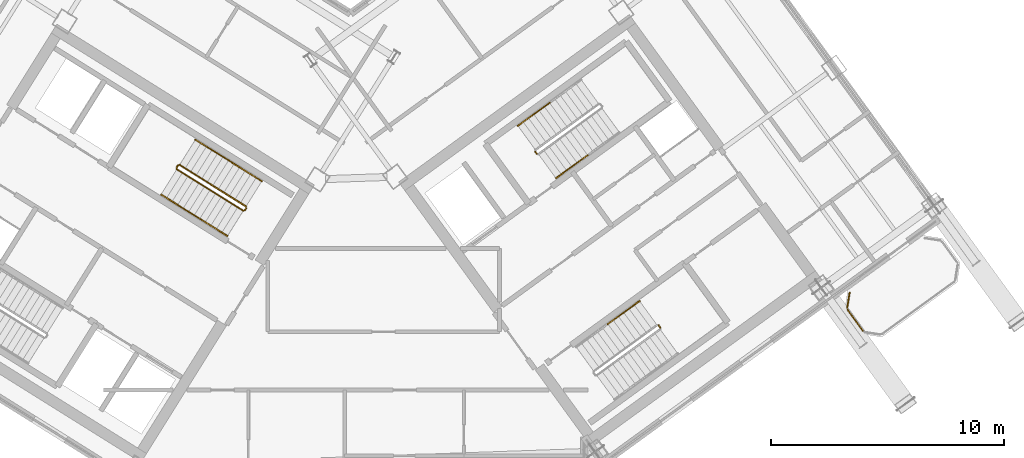
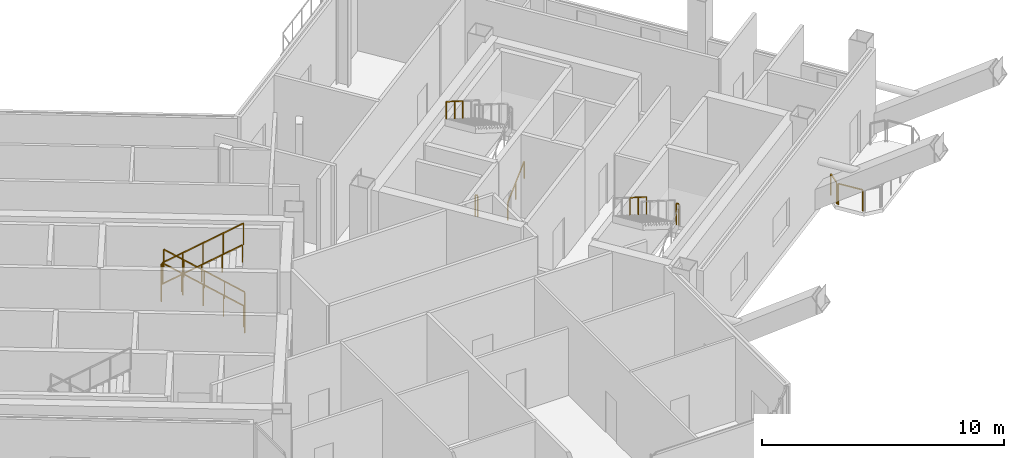
# One storey, part 31 of 34: 15 railings.
"""IFC4 building model written with IfcOpenShell, lengths in metres."""

from ifc_helpers import new_model, si_unit, direction, frame, origin, origin_2d, place, context, subcontext, project, spatial, rectangle, extrude, source, transform, mapped, material, type_object, element, save


model = new_model("IFC4")

# Units and contexts
model_context = context("Model", 3, precision=1e-05, world=origin(), true_north=direction((0.0, 1.0)))
body_context = subcontext(model_context, "Body", "Model", "MODEL_VIEW")
ifc_project = project(units=[si_unit("LENGTHUNIT", "METRE"), si_unit("AREAUNIT", "SQUARE_METRE"), si_unit("VOLUMEUNIT", "CUBIC_METRE"), si_unit("PLANEANGLEUNIT", "RADIAN"), si_unit("MASSUNIT", "GRAM", prefix="KILO")], contexts=[model_context])

# Site, building, storey
site_placement = place(None, origin())
site = spatial("IfcSite", under=ifc_project, at=site_placement, CompositionType="ELEMENT")
building_placement = place(site_placement, origin())
building = spatial("IfcBuilding", under=site, at=building_placement, Name="Tlacorven Tower", CompositionType="ELEMENT")
storey_placement = place(building_placement, frame((0.0, 0.0, 229.199951171875)))
storey = spatial("IfcBuildingStorey", under=building, at=storey_placement, Name="L58", CompositionType="ELEMENT", Elevation=229.199951171875)

# Railings
ifc_material = material(Name="Aluminium and painted steel balustrade", Category="steel")
railing_type_1 = type_object("IfcRailingType", Name="RL-BAL-1100", PredefinedType="BALUSTRADE", material=ifc_material)
shared_shape_1 = source(origin(), body_context, "Body", "SweptSolid", [
    extrude(rectangle(XDim=0.048095703125, YDim=0.048095703125, at=origin_2d()), frame((0.0, 0.0, 1.076171875), z_axis=(0.156602868908, 0.987661653326, 0.0), x_axis=(-0.987661653326, 0.156602868908, 0.0)), (0.0, 0.0, 1.0), 0.665771484375),
    extrude(rectangle(XDim=0.0419921875, YDim=0.0419921875, at=origin_2d()), origin(), (0.0, 0.0, 1.0), 1.052001953125),
    extrude(rectangle(XDim=0.0419921875, YDim=0.0419921875, at=origin_2d()), frame((0.104248046875, 0.657470703125, 0.0)), (0.0, 0.0, 1.0), 1.052001953125),
])
railing_1_placement = place(storey_placement, frame((63.539306640625, 18.949951171875, 0.0)))
element("IfcRailing", 1, at=railing_1_placement, inside=storey, type_object=railing_type_1, Name="BAL-L58-E-OUT Guard Railing 3", PredefinedType="BALUSTRADE", context=body_context, shape_type="MappedRepresentation", body=[
    mapped(shared_shape_1, transform((0.0, 0.0, 0.0), scale=1.0)),
])
shared_shape_2 = source(origin(), body_context, "Body", "SweptSolid", [
    extrude(rectangle(XDim=0.048095703125, YDim=0.048095703125, at=origin_2d()), frame((0.0, 0.0, 1.076171875), z_axis=(-0.587740817519, 0.809049276263, 0.0), x_axis=(-0.809049276263, -0.587740817519, 0.0)), (0.0, 0.0, 1.0), 1.112060546875),
    extrude(rectangle(XDim=0.0419921875, YDim=0.0419921875, at=origin_2d()), origin(), (0.0, 0.0, 1.0), 1.052001953125),
    extrude(rectangle(XDim=0.0419921875, YDim=0.0419921875, at=origin_2d()), frame((-0.653564453125, 0.899658203125, 0.0)), (0.0, 0.0, 1.0), 1.052001953125),
])
railing_2_placement = place(storey_placement, frame((64.214599609375, 17.96044921875, 0.0)))
element("IfcRailing", 2, at=railing_2_placement, inside=storey, type_object=railing_type_1, Name="BAL-L58-E-OUT Guard Railing 2", PredefinedType="BALUSTRADE", context=body_context, shape_type="MappedRepresentation", body=[
    mapped(shared_shape_2, transform((0.0, 0.0, 0.0), scale=1.0)),
])
railing_type_2 = type_object("IfcRailingType", Name="RL-GRD-1100", PredefinedType="GUARDRAIL", material=ifc_material)
shared_shape_3 = source(origin(), body_context, "Body", "SweptSolid", [
    extrude(rectangle(XDim=0.048095703125, YDim=0.048095703125, at=origin_2d()), frame((0.0, 0.0, 1.076171875), z_axis=(-0.530546985787, -0.847655529016, 0.0), x_axis=(0.847655529016, -0.530546985787, 0.0)), (0.0, 0.0, 1.0), 0.1201171875),
    extrude(rectangle(XDim=0.0419921875, YDim=0.0419921875, at=origin_2d()), origin(), (0.0, 0.0, 1.0), 1.052001953125),
    extrude(rectangle(XDim=0.0419921875, YDim=0.0419921875, at=origin_2d()), frame((-0.063720703125, -0.101806640625, 0.0)), (0.0, 0.0, 1.0), 1.052001953125),
])
for number, where, name in (
    (3, (34.7939453125, 25.07421875, 2.25), "L58 ST-W2 stair guard 2"),
    (4, (37.728271484375, 23.24072265625, 0.0), "L58 ST-W2 stair guard 4"),
):
    element("IfcRailing", number, at=place(storey_placement, frame(where)), inside=storey, type_object=railing_type_2, Name=name, PredefinedType="GUARDRAIL", context=body_context, shape_type="MappedRepresentation", body=[
        mapped(shared_shape_3, transform((0.0, 0.0, 0.0), scale=1.0)),
    ])
shared_shape_4 = source(origin(), body_context, "Body", "SweptSolid", [
    extrude(rectangle(XDim=0.048095703125, YDim=0.048095703125, at=origin_2d()), frame((0.0, 0.0, 1.076171875), z_axis=(-0.721354668439, 0.45076168254, 0.525795918465), x_axis=(-0.529927092104, -0.84804320471, 0.0)), (0.0, 0.0, 1.0), 3.949951171875),
    extrude(rectangle(XDim=0.0419921875, YDim=0.0419921875, at=origin_2d()), origin(), (0.0, 0.0, 1.0), 1.052001953125),
    extrude(rectangle(XDim=0.0419921875, YDim=0.0419921875, at=origin_2d()), frame((-0.71240234375, 0.445068359375, 0.519287109375)), (0.0, 0.0, 1.0), 1.052001953125),
    extrude(rectangle(XDim=0.0419921875, YDim=0.0419921875, at=origin_2d()), frame((-1.4248046875, 0.89013671875, 1.03857421875)), (0.0, 0.0, 1.0), 1.052001953125),
    extrude(rectangle(XDim=0.0419921875, YDim=0.0419921875, at=origin_2d()), frame((-2.136962890625, 1.33544921875, 1.5576171875)), (0.0, 0.0, 1.0), 1.052001953125),
    extrude(rectangle(XDim=0.0419921875, YDim=0.0419921875, at=origin_2d()), frame((-2.849365234375, 1.780517578125, 2.076904296875)), (0.0, 0.0, 1.0), 1.052001953125),
])
railing_3_placement = place(storey_placement, frame((37.712158203125, 23.3095703125, 0.173095703125)))
element("IfcRailing", 5, at=railing_3_placement, inside=storey, type_object=railing_type_2, Name="L58 ST-W2 stair guard 1", PredefinedType="GUARDRAIL", context=body_context, shape_type="MappedRepresentation", body=[
    mapped(shared_shape_4, transform((0.0, 0.0, 0.0), scale=1.0)),
])
railing_type_3 = type_object("IfcRailingType", Name="RL-HND-0900", PredefinedType="HANDRAIL", material=ifc_material)
shared_shape_5 = source(origin(), body_context, "Body", "SweptSolid", [
    extrude(rectangle(XDim=0.048095703125, YDim=0.048095703125, at=origin_2d()), frame((0.0, 0.0, 0.8759765625), z_axis=(-0.721340775611, 0.4507761838, 0.52580254617), x_axis=(-0.529946692594, -0.848030956397, 0.0)), (0.0, 0.0, 1.0), 1.97509765625),
    extrude(rectangle(XDim=0.0419921875, YDim=0.0419921875, at=origin_2d()), origin(), (0.0, 0.0, 1.0), 0.851806640625),
    extrude(rectangle(XDim=0.0419921875, YDim=0.0419921875, at=origin_2d()), frame((-0.71240234375, 0.4453125, 0.519287109375)), (0.0, 0.0, 1.0), 0.851806640625),
    extrude(rectangle(XDim=0.0419921875, YDim=0.0419921875, at=origin_2d()), frame((-1.4248046875, 0.890380859375, 1.03857421875)), (0.0, 0.0, 1.0), 0.851806640625),
])
railing_4_placement = place(storey_placement, frame((38.390625, 24.39501953125, 0.173095703125)))
element("IfcRailing", 6, at=railing_4_placement, inside=storey, type_object=railing_type_3, Name="L58 ST-W2 stair handrail 1", PredefinedType="HANDRAIL", context=body_context, shape_type="MappedRepresentation", body=[
    mapped(shared_shape_5, transform((0.0, 0.0, 0.0), scale=1.0)),
])
shared_shape_6 = source(origin(), body_context, "Body", "SweptSolid", [
    extrude(rectangle(XDim=0.048095703125, YDim=0.048095703125, at=origin_2d()), frame((0.0, 0.0, 0.8759765625), z_axis=(-0.721427851237, 0.45070698177, 0.525742400842), x_axis=(-0.52984217967, -0.848096259066, 0.0)), (0.0, 0.0, 1.0), 1.97509765625),
    extrude(rectangle(XDim=0.0419921875, YDim=0.0419921875, at=origin_2d()), origin(), (0.0, 0.0, 1.0), 0.851806640625),
    extrude(rectangle(XDim=0.0419921875, YDim=0.0419921875, at=origin_2d()), frame((-0.71240234375, 0.445068359375, 0.51904296875)), (0.0, 0.0, 1.0), 0.851806640625),
    extrude(rectangle(XDim=0.0419921875, YDim=0.0419921875, at=origin_2d()), frame((-1.4248046875, 0.89013671875, 1.038330078125)), (0.0, 0.0, 1.0), 0.851806640625),
])
railing_5_placement = place(storey_placement, frame((36.9658203125, 25.285400390625, 1.211669921875)))
element("IfcRailing", 7, at=railing_5_placement, inside=storey, type_object=railing_type_3, Name="L58 ST-W2 stair handrail 2", PredefinedType="HANDRAIL", context=body_context, shape_type="MappedRepresentation", body=[
    mapped(shared_shape_6, transform((0.0, 0.0, 0.0), scale=1.0)),
])
shared_shape_7 = source(origin(), body_context, "Body", "SweptSolid", [
    extrude(rectangle(XDim=0.048095703125, YDim=0.048095703125, at=origin_2d()), frame((0.0, 0.0, 0.8759765625), z_axis=(0.721387654753, -0.450805479247, 0.525713107551), x_axis=(0.529946692594, 0.848030956397, 0.0)), (0.0, 0.0, 1.0), 1.97509765625),
    extrude(rectangle(XDim=0.0419921875, YDim=0.0419921875, at=origin_2d()), origin(), (0.0, 0.0, 1.0), 0.851806640625),
    extrude(rectangle(XDim=0.0419921875, YDim=0.0419921875, at=origin_2d()), frame((0.71240234375, -0.4453125, 0.51904296875)), (0.0, 0.0, 1.0), 0.851806640625),
    extrude(rectangle(XDim=0.0419921875, YDim=0.0419921875, at=origin_2d()), frame((1.4248046875, -0.890380859375, 1.038330078125)), (0.0, 0.0, 1.0), 0.851806640625),
])
railing_6_placement = place(storey_placement, frame((35.49267578125, 22.927734375, 3.461669921875)))
element("IfcRailing", 8, at=railing_6_placement, inside=storey, type_object=railing_type_3, Name="L58 ST-W2 stair handrail 4", PredefinedType="HANDRAIL", context=body_context, shape_type="MappedRepresentation", body=[
    mapped(shared_shape_7, transform((0.0, 0.0, 0.0), scale=1.0)),
])
shared_shape_8 = source(origin(), body_context, "Body", "SweptSolid", [
    extrude(rectangle(XDim=0.048095703125, YDim=0.048095703125, at=origin_2d()), frame((0.0, 0.0, 1.076171875), z_axis=(0.721354668439, -0.45076168254, 0.525795918465), x_axis=(0.529927092104, 0.84804320471, 0.0)), (0.0, 0.0, 1.0), 3.949951171875),
    extrude(rectangle(XDim=0.0419921875, YDim=0.0419921875, at=origin_2d()), origin(), (0.0, 0.0, 1.0), 1.052001953125),
    extrude(rectangle(XDim=0.0419921875, YDim=0.0419921875, at=origin_2d()), frame((0.71240234375, -0.445068359375, 0.519287109375)), (0.0, 0.0, 1.0), 1.052001953125),
    extrude(rectangle(XDim=0.0419921875, YDim=0.0419921875, at=origin_2d()), frame((1.4248046875, -0.89013671875, 1.03857421875)), (0.0, 0.0, 1.0), 1.052001953125),
    extrude(rectangle(XDim=0.0419921875, YDim=0.0419921875, at=origin_2d()), frame((2.136962890625, -1.33544921875, 1.5576171875)), (0.0, 0.0, 1.0), 1.052001953125),
    extrude(rectangle(XDim=0.0419921875, YDim=0.0419921875, at=origin_2d()), frame((2.849365234375, -1.780517578125, 2.076904296875)), (0.0, 0.0, 1.0), 1.052001953125),
])
railing_7_placement = place(storey_placement, frame((34.746337890625, 24.903564453125, 2.423095703125)))
element("IfcRailing", 9, at=railing_7_placement, inside=storey, type_object=railing_type_2, Name="L58 ST-W2 stair guard 3", PredefinedType="GUARDRAIL", context=body_context, shape_type="MappedRepresentation", body=[
    mapped(shared_shape_8, transform((0.0, 0.0, 0.0), scale=1.0)),
])
shared_shape_9 = source(origin(), body_context, "Body", "SweptSolid", [
    extrude(rectangle(XDim=0.048095703125, YDim=0.048095703125, at=origin_2d()), frame((0.0, 0.0, 0.8759765625), z_axis=(0.721380964259, -0.45067768946, 0.525831840637), x_axis=(0.52984217967, 0.848096259066, 0.0)), (0.0, 0.0, 1.0), 1.97509765625),
    extrude(rectangle(XDim=0.0419921875, YDim=0.0419921875, at=origin_2d()), origin(), (0.0, 0.0, 1.0), 0.851806640625),
    extrude(rectangle(XDim=0.0419921875, YDim=0.0419921875, at=origin_2d()), frame((0.71240234375, -0.445068359375, 0.519287109375)), (0.0, 0.0, 1.0), 0.851806640625),
    extrude(rectangle(XDim=0.0419921875, YDim=0.0419921875, at=origin_2d()), frame((1.4248046875, -0.89013671875, 1.03857421875)), (0.0, 0.0, 1.0), 0.851806640625),
])
railing_8_placement = place(storey_placement, frame((34.06787109375, 23.81787109375, 2.423095703125)))
element("IfcRailing", 10, at=railing_8_placement, inside=storey, type_object=railing_type_3, Name="L58 ST-W2 stair handrail 3", PredefinedType="HANDRAIL", context=body_context, shape_type="MappedRepresentation", body=[
    mapped(shared_shape_9, transform((0.0, 0.0, 0.0), scale=1.0)),
])
shared_shape_10 = source(origin(), body_context, "Body", "SweptSolid", [
    extrude(rectangle(XDim=0.048095703125, YDim=0.048095703125, at=origin_2d()), frame((0.0, 0.0, 1.076171875), z_axis=(-0.587567097037, 0.809175448515, 0.0), x_axis=(-0.809175448515, -0.587567097037, 0.0)), (0.0, 0.0, 1.0), 0.1201171875),
    extrude(rectangle(XDim=0.0419921875, YDim=0.0419921875, at=origin_2d()), origin(), (0.0, 0.0, 1.0), 1.052001953125),
    extrude(rectangle(XDim=0.0419921875, YDim=0.0419921875, at=origin_2d()), frame((-0.070556640625, 0.09716796875, 0.0)), (0.0, 0.0, 1.0), 1.052001953125),
])
railing_9_placement = place(storey_placement, frame((55.510498046875, 18.099365234375, 2.25)))
element("IfcRailing", 11, at=railing_9_placement, inside=storey, type_object=railing_type_2, Name="L58 ST-E2 stair guard 2", PredefinedType="GUARDRAIL", context=body_context, shape_type="MappedRepresentation", body=[
    mapped(shared_shape_10, transform((0.0, 0.0, 0.0), scale=1.0)),
])
shared_shape_11 = source(origin(), body_context, "Body", "SweptSolid", [
    extrude(rectangle(XDim=0.048095703125, YDim=0.048095703125, at=origin_2d()), frame((0.0, 0.0, 1.076171875), z_axis=(-0.587201422542, 0.809440849824, 0.0), x_axis=(-0.809440849824, -0.587201422542, 0.0)), (0.0, 0.0, 1.0), 0.11962890625),
    extrude(rectangle(XDim=0.0419921875, YDim=0.0419921875, at=origin_2d()), origin(), (0.0, 0.0, 1.0), 1.052001953125),
    extrude(rectangle(XDim=0.0419921875, YDim=0.0419921875, at=origin_2d()), frame((-0.0703125, 0.096923828125, 0.0)), (0.0, 0.0, 1.0), 1.052001953125),
])
railing_10_placement = place(storey_placement, frame((50.207275390625, 25.56884765625, 0.0)))
element("IfcRailing", 12, at=railing_10_placement, inside=storey, type_object=railing_type_2, Name="L58 ST-E1 stair guard 4", PredefinedType="GUARDRAIL", context=body_context, shape_type="MappedRepresentation", body=[
    mapped(shared_shape_11, transform((0.0, 0.0, 0.0), scale=1.0)),
])
shared_shape_12 = source(origin(), body_context, "Body", "SweptSolid", [
    extrude(rectangle(XDim=0.048095703125, YDim=0.048095703125, at=origin_2d()), frame((0.0, 0.0, 0.8759765625), z_axis=(0.688123352181, 0.499992627909, 0.525826610414), x_axis=(-0.587817375869, 0.808993654256, 0.0)), (0.0, 0.0, 1.0), 1.97509765625),
    extrude(rectangle(XDim=0.0419921875, YDim=0.0419921875, at=origin_2d()), origin(), (0.0, 0.0, 1.0), 0.851806640625),
    extrude(rectangle(XDim=0.0419921875, YDim=0.0419921875, at=origin_2d()), frame((0.6796875, 0.49365234375, 0.519287109375)), (0.0, 0.0, 1.0), 0.851806640625),
    extrude(rectangle(XDim=0.0419921875, YDim=0.0419921875, at=origin_2d()), frame((1.359130859375, 0.987548828125, 1.03857421875)), (0.0, 0.0, 1.0), 0.851806640625),
])
railing_11_placement = place(storey_placement, frame((51.029541015625, 24.522216796875, 0.173095703125)))
element("IfcRailing", 13, at=railing_11_placement, inside=storey, type_object=railing_type_3, Name="L58 ST-E1 stair handrail 1", PredefinedType="HANDRAIL", context=body_context, shape_type="MappedRepresentation", body=[
    mapped(shared_shape_12, transform((0.0, 0.0, 0.0), scale=1.0)),
])
shared_shape_13 = source(origin(), body_context, "Body", "SweptSolid", [
    extrude(rectangle(XDim=0.048095703125, YDim=0.048095703125, at=origin_2d()), frame((0.0, 0.0, 0.8759765625), z_axis=(-0.688123352181, -0.499992627909, 0.525826610414), x_axis=(0.587817375869, -0.808993654256, 0.0)), (0.0, 0.0, 1.0), 1.97509765625),
    extrude(rectangle(XDim=0.0419921875, YDim=0.0419921875, at=origin_2d()), origin(), (0.0, 0.0, 1.0), 0.851806640625),
    extrude(rectangle(XDim=0.0419921875, YDim=0.0419921875, at=origin_2d()), frame((-0.6796875, -0.49365234375, 0.519287109375)), (0.0, 0.0, 1.0), 0.851806640625),
    extrude(rectangle(XDim=0.0419921875, YDim=0.0419921875, at=origin_2d()), frame((-1.359130859375, -0.987548828125, 1.03857421875)), (0.0, 0.0, 1.0), 0.851806640625),
])
railing_12_placement = place(storey_placement, frame((54.617919921875, 19.2431640625, 2.423095703125)))
element("IfcRailing", 14, at=railing_12_placement, inside=storey, type_object=railing_type_3, Name="L58 ST-E2 stair handrail 3", PredefinedType="HANDRAIL", context=body_context, shape_type="MappedRepresentation", body=[
    mapped(shared_shape_13, transform((0.0, 0.0, 0.0), scale=1.0)),
])
shared_shape_14 = source(origin(), body_context, "Body", "SweptSolid", [
    extrude(rectangle(XDim=0.048095703125, YDim=0.048095703125, at=origin_2d()), frame((0.0, 0.0, 0.8759765625), z_axis=(-0.688168076653, -0.500025124854, 0.525737170829), x_axis=(0.587817375869, -0.808993654256, 0.0)), (0.0, 0.0, 1.0), 1.97509765625),
    extrude(rectangle(XDim=0.0419921875, YDim=0.0419921875, at=origin_2d()), origin(), (0.0, 0.0, 1.0), 0.851806640625),
    extrude(rectangle(XDim=0.0419921875, YDim=0.0419921875, at=origin_2d()), frame((-0.6796875, -0.49365234375, 0.51904296875)), (0.0, 0.0, 1.0), 0.851806640625),
    extrude(rectangle(XDim=0.0419921875, YDim=0.0419921875, at=origin_2d()), frame((-1.359130859375, -0.987548828125, 1.038330078125)), (0.0, 0.0, 1.0), 0.851806640625),
])
railing_13_placement = place(storey_placement, frame((50.754638671875, 27.7587890625, 3.461669921875)))
element("IfcRailing", 15, at=railing_13_placement, inside=storey, type_object=railing_type_3, Name="L58 ST-E1 stair handrail 4", PredefinedType="HANDRAIL", context=body_context, shape_type="MappedRepresentation", body=[
    mapped(shared_shape_14, transform((0.0, 0.0, 0.0), scale=1.0)),
])

save(model, "model.ifc")
